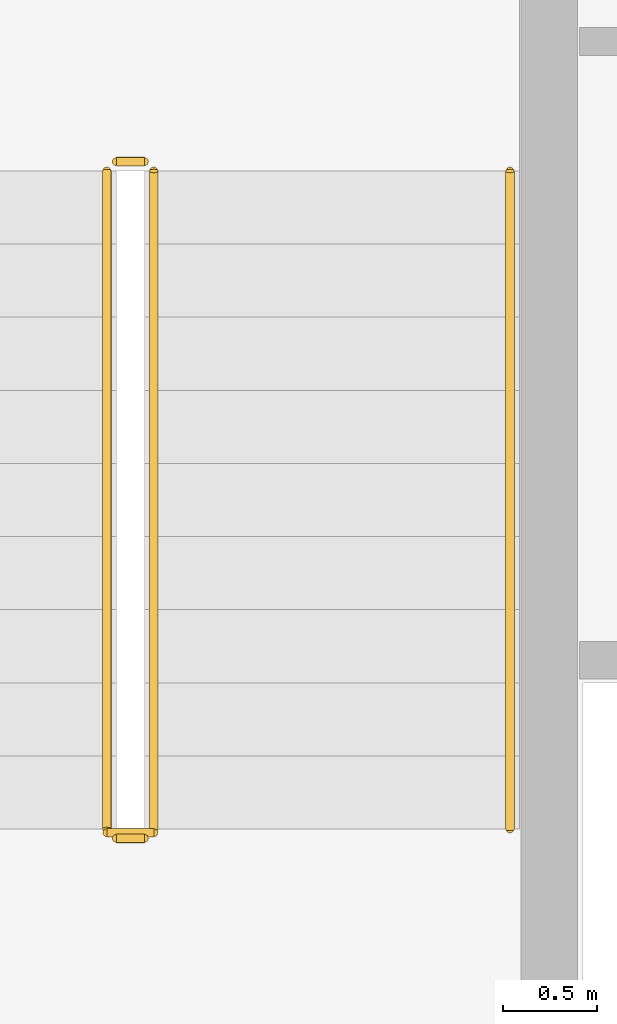
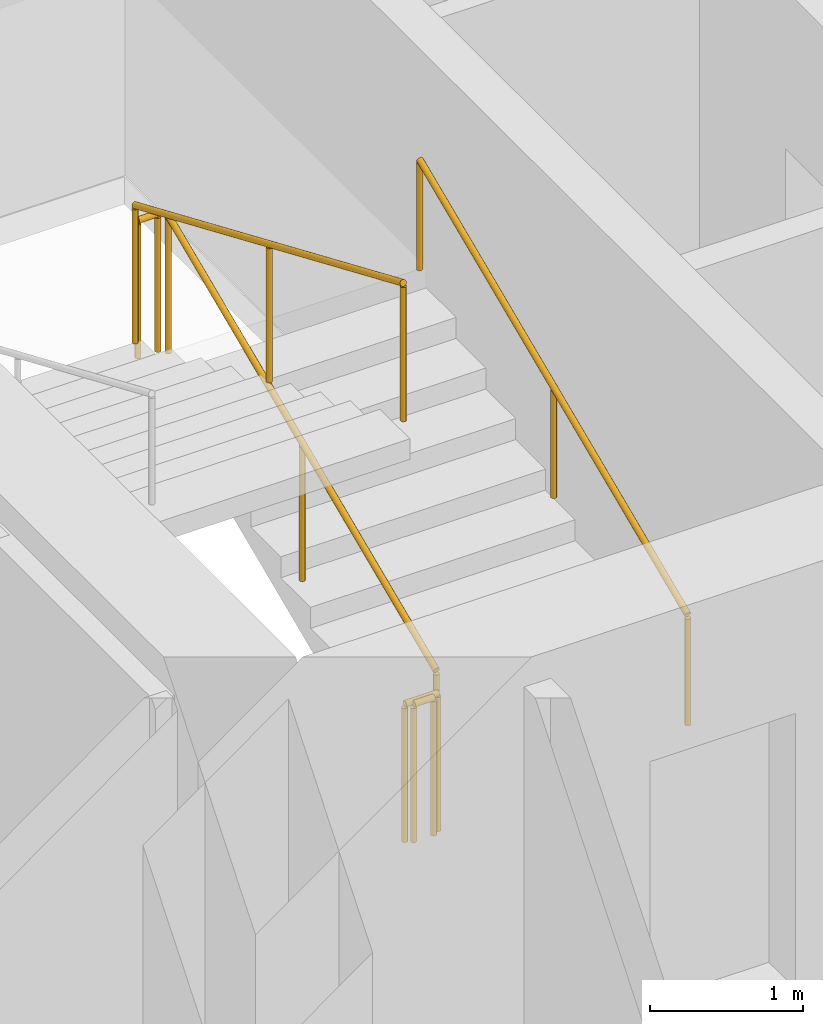
# One storey, part 31 of 32: 6 railings.
"""IFC4 building model written with IfcOpenShell, lengths in metres."""

from ifc_helpers import new_model, si_unit, direction, frame, origin, origin_2d, place, context, subcontext, project, spatial, circle, extrude, material, layer, layer_set, type_object, element, save


model = new_model("IFC4")

# Units and contexts
model_context = context("Model", 3, precision=1e-05, world=origin(), true_north=direction((0.0, 1.0)))
body_context = subcontext(model_context, "Body", "Model", "MODEL_VIEW")
ifc_project = project(units=[si_unit("LENGTHUNIT", "METRE"), si_unit("AREAUNIT", "SQUARE_METRE"), si_unit("VOLUMEUNIT", "CUBIC_METRE"), si_unit("PLANEANGLEUNIT", "RADIAN"), si_unit("MASSUNIT", "GRAM", prefix="KILO")], contexts=[model_context])

# Site, building, storey
site_placement = place(None, origin())
site = spatial("IfcSite", under=ifc_project, at=site_placement, CompositionType="ELEMENT")
building_placement = place(site_placement, origin())
building = spatial("IfcBuilding", under=site, at=building_placement, Name="Hatsunagi Terrace Concourse", CompositionType="ELEMENT")
storey_placement = place(building_placement, frame((0.0, 0.0, 36.60009765625)))
storey = spatial("IfcBuildingStorey", under=building, at=storey_placement, Name="L08", CompositionType="ELEMENT", Elevation=36.60009765625)

# Railings
ifc_material_1 = material(Name="Stainless steel", Category="steel")
ifc_layer_1 = layer(ifc_material_1, 0.044921875)
ifc_layer_set_1 = layer_set([ifc_layer_1], Name="StairPitchHandrail_Tower2000")
railing_type_1 = type_object("IfcRailingType", Name="StairPitchHandrail_Tower2000", PredefinedType="HANDRAIL", material=ifc_layer_set_1)
railing_1_placement = place(storey_placement, frame((30.330078125, 35.199951171875, 0.16748046875)))
element("IfcRailing", 1, at=railing_1_placement, inside=storey, type_object=railing_type_1, Name="L08 ST-A stair handrail 1", PredefinedType="HANDRAIL", context=body_context, shape_type="SweptSolid", body=[
    extrude(circle(Radius=0.02392578125, at=origin_2d()), frame((0.0, 0.0, 0.8759765625), z_axis=(0.0, 0.918857182807, 0.394590265469), x_axis=(-1.0, 0.0, 0.0)), (0.0, 0.0, 1.0), 3.820068359375),
    extrude(circle(Radius=0.02099609375, at=origin_2d()), origin(), (0.0, 0.0, 1.0), 0.851806640625),
    extrude(circle(Radius=0.02099609375, at=origin_2d()), frame((0.0, 1.7548828125, 0.753662109375)), (0.0, 0.0, 1.0), 0.851806640625),
    extrude(circle(Radius=0.02099609375, at=origin_2d()), frame((0.0, 3.510009765625, 1.50732421875)), (0.0, 0.0, 1.0), 0.851806640625),
])
ifc_material_2 = material(Name="Stainless steel", Category="steel")
ifc_layer_2 = layer(ifc_material_2, 0.06005859375)
ifc_layer_set_2 = layer_set([ifc_layer_2], Name="StairWellGuard_Tower2000")
railing_type_2 = type_object("IfcRailingType", Name="StairWellGuard_Tower2000", PredefinedType="BALUSTRADE", material=ifc_layer_set_2)
railing_2_placement = place(storey_placement, frame((28.429931640625, 35.199951171875, 0.16748046875)))
element("IfcRailing", 2, at=railing_2_placement, inside=storey, type_object=railing_type_2, Name="L08 ST-A stair guard 1", PredefinedType="BALUSTRADE", context=body_context, shape_type="SweptSolid", body=[
    extrude(circle(Radius=0.02392578125, at=origin_2d()), frame((0.0, 0.0, 1.09619140625), z_axis=(0.0, 0.918857182807, 0.394590265469), x_axis=(-1.0, 0.0, 0.0)), (0.0, 0.0, 1.0), 3.820068359375),
    extrude(circle(Radius=0.02099609375, at=origin_2d()), origin(), (0.0, 0.0, 1.0), 1.072021484375),
    extrude(circle(Radius=0.02099609375, at=origin_2d()), frame((0.0, 1.7548828125, 0.753662109375)), (0.0, 0.0, 1.0), 1.072021484375),
    extrude(circle(Radius=0.02099609375, at=origin_2d()), frame((0.0, 3.510009765625, 1.50732421875)), (0.0, 0.0, 1.0), 1.072021484375),
])
railing_3_placement = place(storey_placement, frame((28.3798828125, 38.760009765625, 1.6748046875)))
element("IfcRailing", 3, at=railing_3_placement, inside=storey, type_object=railing_type_2, Name="L08 ST-A stair guard 2", PredefinedType="BALUSTRADE", context=body_context, shape_type="SweptSolid", body=[
    extrude(circle(Radius=0.02392578125, at=origin_2d()), frame((0.0, 0.0, 1.09619140625), z_axis=(-1.0, 0.0, 0.0), x_axis=(0.0, -1.0, 0.0)), (0.0, 0.0, 1.0), 0.14990234375),
    extrude(circle(Radius=0.02099609375, at=origin_2d()), origin(), (0.0, 0.0, 1.0), 1.072021484375),
    extrude(circle(Radius=0.02099609375, at=origin_2d()), frame((-0.14990234375, 0.0, 0.0)), (0.0, 0.0, 1.0), 1.072021484375),
])
railing_4_placement = place(storey_placement, frame((28.179931640625, 38.7099609375, 1.84228515625)))
element("IfcRailing", 4, at=railing_4_placement, inside=storey, type_object=railing_type_2, Name="L08 ST-A stair guard 3", PredefinedType="BALUSTRADE", context=body_context, shape_type="SweptSolid", body=[
    extrude(circle(Radius=0.02392578125, at=origin_2d()), frame((0.0, 0.0, 1.09619140625), z_axis=(0.0, -0.918834009242, 0.394644223904), x_axis=(1.0, 0.0, 0.0)), (0.0, 0.0, 1.0), 3.820068359375),
    extrude(circle(Radius=0.02099609375, at=origin_2d()), origin(), (0.0, 0.0, 1.0), 1.072021484375),
    extrude(circle(Radius=0.02099609375, at=origin_2d()), frame((0.0, -1.7548828125, 0.75390625)), (0.0, 0.0, 1.0), 1.072021484375),
    extrude(circle(Radius=0.02099609375, at=origin_2d()), frame((0.0, -3.510009765625, 1.507568359375)), (0.0, 0.0, 1.0), 1.072021484375),
])
railing_5_placement = place(storey_placement, frame((28.3798828125, 35.14990234375, 0.0)))
element("IfcRailing", 5, at=railing_5_placement, inside=storey, type_object=railing_type_2, Name="L08 ST-A stair guard 4", PredefinedType="BALUSTRADE", context=body_context, shape_type="SweptSolid", body=[
    extrude(circle(Radius=0.02392578125, at=origin_2d()), frame((0.0, 0.0, 1.09619140625), z_axis=(-1.0, 0.0, 0.0), x_axis=(0.0, -1.0, 0.0)), (0.0, 0.0, 1.0), 0.14990234375),
    extrude(circle(Radius=0.02099609375, at=origin_2d()), origin(), (0.0, 0.0, 1.0), 1.072021484375),
    extrude(circle(Radius=0.02099609375, at=origin_2d()), frame((-0.14990234375, 0.0, 0.0)), (0.0, 0.0, 1.0), 1.072021484375),
])
ifc_material_3 = material(Name="Stainless Steel SUS316 Post-and-Rail Guard", Category="steel")
ifc_layer_3 = layer(ifc_material_3, 0.080078125)
ifc_layer_set_3 = layer_set([ifc_layer_3], Name="TerracePlantedGuardRail_1200")
railing_type_3 = type_object("IfcRailingType", Name="TerracePlantedGuardRail_1200", PredefinedType="GUARDRAIL", material=ifc_layer_set_3)
railing_6_placement = place(storey_placement, frame((28.179931640625, 35.179931640625, 0.0)))
element("IfcRailing", 6, at=railing_6_placement, inside=storey, type_object=railing_type_3, Name="Stair ST-A Well Closure Guard L08", PredefinedType="GUARDRAIL", context=body_context, shape_type="SweptSolid", body=[
    extrude(circle(Radius=0.02392578125, at=origin_2d()), frame((0.0, 0.0, 1.09619140625), z_axis=(1.0, 0.0, 0.0), x_axis=(0.0, 1.0, 0.0)), (0.0, 0.0, 1.0), 0.25),
    extrude(circle(Radius=0.02099609375, at=origin_2d()), origin(), (0.0, 0.0, 1.0), 1.072021484375),
    extrude(circle(Radius=0.02099609375, at=origin_2d()), frame((0.25, 0.0, 0.0)), (0.0, 0.0, 1.0), 1.072021484375),
])

save(model, "model.ifc")
